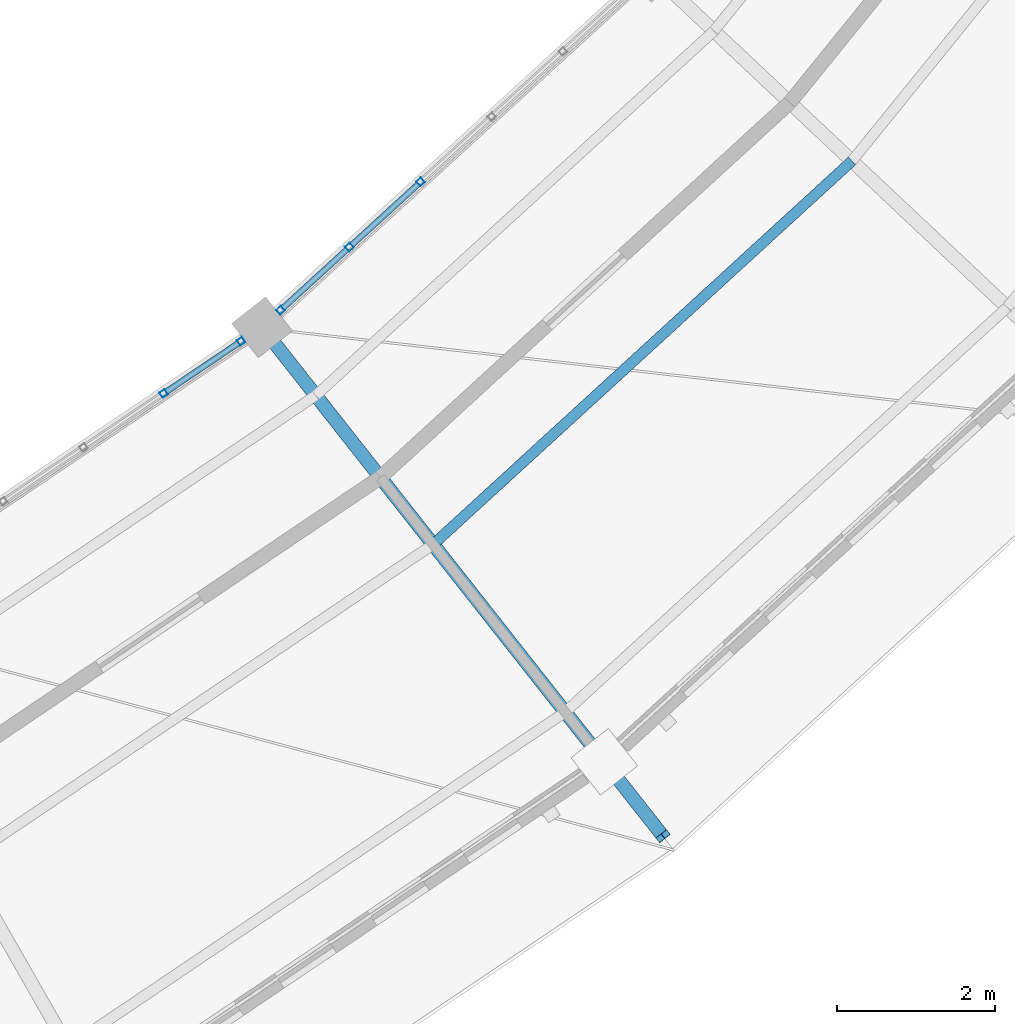
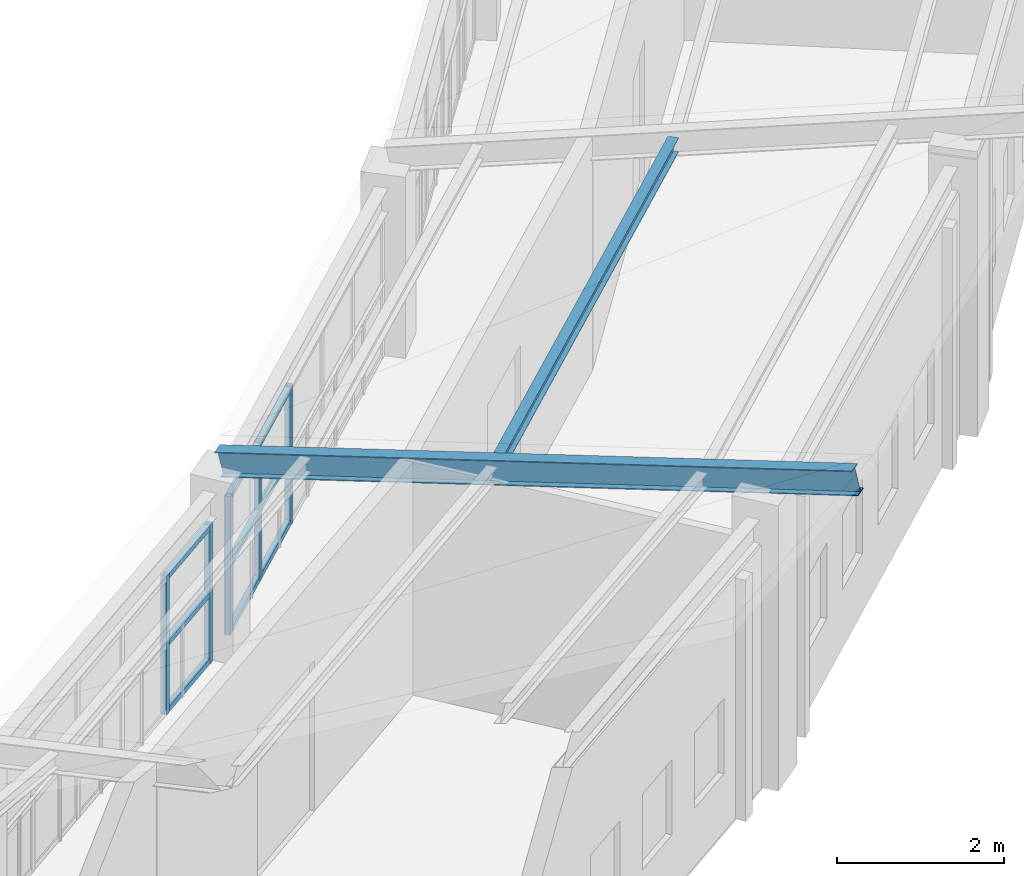
# One storey, part 48 of 149: 16 members, 2 elements without a shape of their own.
"""IFC4 building model written with IfcOpenShell, lengths in metres."""

from ifc_helpers import new_model, si_unit, direction, frame, origin, origin_2d, place, context, subcontext, project, spatial, hollow_rectangle, i_section, extrude, material, material_profile, profile_set, type_object, element, aggregate, save


model = new_model("IFC4")

# Units and contexts
model_context = context("Model", 3, precision=1e-05, world=origin(), true_north=direction((0.0, 1.0)))
body_context = subcontext(model_context, "Body", "Model", "MODEL_VIEW")
ifc_project = project(units=[si_unit("LENGTHUNIT", "METRE"), si_unit("AREAUNIT", "SQUARE_METRE"), si_unit("VOLUMEUNIT", "CUBIC_METRE"), si_unit("PLANEANGLEUNIT", "RADIAN"), si_unit("MASSUNIT", "GRAM", prefix="KILO")], contexts=[model_context])

# Site, building, storey
site_placement = place(None, origin())
site = spatial("IfcSite", under=ifc_project, at=site_placement, CompositionType="ELEMENT")
building_placement = place(site_placement, origin())
building = spatial("IfcBuilding", under=site, at=building_placement, Name="Celadon Cloister-Ring School", CompositionType="ELEMENT")
storey_placement = place(building_placement, frame((0.0, 0.0, 12.5)))
storey = spatial("IfcBuildingStorey", under=building, at=storey_placement, Name="L03", CompositionType="ELEMENT", Elevation=12.5)

# Curtain wall, members
ifc_material_1 = material(Name="Aluminium EN AW-6063 T6", Category="aluminium")
curtain_wall_type = type_object("IfcCurtainWallType", Name="CW-02", PredefinedType="USERDEFINED", material=ifc_material_1)
curtain_wall_1_placement = place(storey_placement, origin())
curtain_wall_1 = element("IfcCurtainWall", 1, at=curtain_wall_1_placement, inside=storey, type_object=curtain_wall_type, Name="Curtain Wall 0065", ObjectType="CURTAIN WALL", PredefinedType="USERDEFINED")
ifc_material_2 = material(Name="Aluminium EN AW-6063 T6", Category="aluminium")
ifc_material_profile_1 = material_profile(ifc_material_2, hollow_rectangle(XDim=0.080078125, YDim=0.080078125, WallThickness=0.00390625, at=origin_2d()), Name="RHS80X80X4")
ifc_profile_set_1 = profile_set([ifc_material_profile_1], Name="Aluminium EN AW-6063 T6")
member_type_1 = type_object("IfcMemberType", Name="CM-03", PredefinedType="MULLION", material=ifc_profile_set_1)
member_1_placement = place(storey_placement, frame((113.603759765625, 22.813232421875, 0.0), z_axis=(0.0, 0.0, 1.0), x_axis=(-0.558848567753, 0.829269725916, 0.0)))
member_1 = element("IfcMember", 2, at=member_1_placement, type_object=member_type_1, Name="CW-02 mullion 5", PredefinedType="MULLION", context=body_context, shape_type="SweptSolid", body=[
    extrude(hollow_rectangle(XDim=0.080078125, YDim=0.080078125, WallThickness=0.00390625, at=origin_2d()), origin(), (0.0, 0.0, 1.0), 2.02001953125),
])
member_2_placement = place(storey_placement, frame((114.583740234375, 23.4736328125, 0.0), z_axis=(0.0, 0.0, 1.0), x_axis=(-0.558848567753, 0.829269725916, 0.0)))
member_2 = element("IfcMember", 3, at=member_2_placement, type_object=member_type_1, Name="CW-02 mullion 6", PredefinedType="MULLION", context=body_context, shape_type="SweptSolid", body=[
    extrude(hollow_rectangle(XDim=0.080078125, YDim=0.080078125, WallThickness=0.00390625, at=origin_2d()), origin(), (0.0, 0.0, 1.0), 2.02001953125),
])

curtain_wall_2_placement = place(storey_placement, origin())
curtain_wall_2 = element("IfcCurtainWall", 4, at=curtain_wall_2_placement, inside=storey, type_object=curtain_wall_type, Name="Curtain Wall 0066", ObjectType="CURTAIN WALL", PredefinedType="USERDEFINED")
member_3_placement = place(storey_placement, frame((115.08349609375, 23.866943359375, 0.0), z_axis=(0.0, 0.0, 1.0), x_axis=(-0.675405823267, 0.737446251531, 0.0)))
member_3 = element("IfcMember", 5, at=member_3_placement, type_object=member_type_1, Name="CW-02 mullion 1", PredefinedType="MULLION", context=body_context, shape_type="SweptSolid", body=[
    extrude(hollow_rectangle(XDim=0.080078125, YDim=0.080078125, WallThickness=0.00390625, at=origin_2d()), origin(), (0.0, 0.0, 1.0), 2.02001953125),
])
member_4_placement = place(storey_placement, frame((115.955078125, 24.665283203125, 0.0), z_axis=(0.0, 0.0, 1.0), x_axis=(-0.675405823267, 0.737446251531, 0.0)))
member_4 = element("IfcMember", 6, at=member_4_placement, type_object=member_type_1, Name="CW-02 mullion 2", PredefinedType="MULLION", context=body_context, shape_type="SweptSolid", body=[
    extrude(hollow_rectangle(XDim=0.080078125, YDim=0.080078125, WallThickness=0.00390625, at=origin_2d()), origin(), (0.0, 0.0, 1.0), 2.02001953125),
])
member_5_placement = place(storey_placement, frame((116.85595703125, 25.490478515625, 0.0), z_axis=(0.0, 0.0, 1.0), x_axis=(-0.675405823267, 0.737446251531, 0.0)))
member_5 = element("IfcMember", 7, at=member_5_placement, type_object=member_type_1, Name="CW-02 mullion 3", PredefinedType="MULLION", context=body_context, shape_type="SweptSolid", body=[
    extrude(hollow_rectangle(XDim=0.080078125, YDim=0.080078125, WallThickness=0.00390625, at=origin_2d()), origin(), (0.0, 0.0, 1.0), 2.02001953125),
])

# Member
ifc_material_3 = material(Name="Aluminium EN AW-6063 T6", Category="aluminium")
ifc_material_profile_2 = material_profile(ifc_material_3, hollow_rectangle(XDim=0.074951171875, YDim=0.074951171875, WallThickness=0.00390625, at=origin_2d()), Name="RHS75X75X4")
ifc_profile_set_2 = profile_set([ifc_material_profile_2], Name="Aluminium EN AW-6063 T6")
member_type_2 = type_object("IfcMemberType", Name="CTM-03", PredefinedType="USERDEFINED", material=ifc_profile_set_2)
member_6_placement = place(storey_placement, frame((113.636962890625, 22.83544921875, 0.03759765625), z_axis=(0.829244100833, 0.558886590673, 0.0), x_axis=(-0.558886590673, 0.829244100833, 0.0)))
member_6 = element("IfcMember", 8, at=member_6_placement, type_object=member_type_2, Name="CW-02 transom 5.1", ObjectType="TRANSOM", PredefinedType="USERDEFINED", context=body_context, shape_type="SweptSolid", body=[
    extrude(hollow_rectangle(XDim=0.074951171875, YDim=0.074951171875, WallThickness=0.00390625, at=origin_2d()), origin(), (0.0, 0.0, 1.0), 1.101806640625),
])

member_7_placement = place(storey_placement, frame((113.636962890625, 22.83544921875, 1.010009765625), z_axis=(0.829244100833, 0.558886590673, 0.0), x_axis=(-0.558886590673, 0.829244100833, 0.0)))
member_7 = element("IfcMember", 9, at=member_7_placement, type_object=member_type_2, Name="CW-02 transom 5.2", ObjectType="TRANSOM", PredefinedType="USERDEFINED", context=body_context, shape_type="SweptSolid", body=[
    extrude(hollow_rectangle(XDim=0.074951171875, YDim=0.074951171875, WallThickness=0.00390625, at=origin_2d()), origin(), (0.0, 0.0, 1.0), 1.101806640625),
])

member_8_placement = place(storey_placement, frame((113.636962890625, 22.83544921875, 1.982421875), z_axis=(0.829244100833, 0.558886590673, 0.0), x_axis=(-0.558886590673, 0.829244100833, 0.0)))
member_8 = element("IfcMember", 10, at=member_8_placement, type_object=member_type_2, Name="CW-02 transom 5.3", ObjectType="TRANSOM", PredefinedType="USERDEFINED", context=body_context, shape_type="SweptSolid", body=[
    extrude(hollow_rectangle(XDim=0.074951171875, YDim=0.074951171875, WallThickness=0.00390625, at=origin_2d()), origin(), (0.0, 0.0, 1.0), 1.101806640625),
])

aggregate(curtain_wall_1, [member_1, member_2, member_6, member_7, member_8])

member_9_placement = place(storey_placement, frame((115.113037109375, 23.89404296875, 0.03759765625), z_axis=(0.737448407441, 0.675403469315, 0.0), x_axis=(-0.675403469315, 0.737448407441, 0.0)))
member_9 = element("IfcMember", 11, at=member_9_placement, type_object=member_type_2, Name="CW-02 transom 1.1", ObjectType="TRANSOM", PredefinedType="USERDEFINED", context=body_context, shape_type="SweptSolid", body=[
    extrude(hollow_rectangle(XDim=0.074951171875, YDim=0.074951171875, WallThickness=0.00390625, at=origin_2d()), origin(), (0.0, 0.0, 1.0), 1.101806640625),
])

member_10_placement = place(storey_placement, frame((115.113037109375, 23.89404296875, 1.010009765625), z_axis=(0.737448407441, 0.675403469315, 0.0), x_axis=(-0.675403469315, 0.737448407441, 0.0)))
member_10 = element("IfcMember", 12, at=member_10_placement, type_object=member_type_2, Name="CW-02 transom 1.2", ObjectType="TRANSOM", PredefinedType="USERDEFINED", context=body_context, shape_type="SweptSolid", body=[
    extrude(hollow_rectangle(XDim=0.074951171875, YDim=0.074951171875, WallThickness=0.00390625, at=origin_2d()), origin(), (0.0, 0.0, 1.0), 1.101806640625),
])

member_11_placement = place(storey_placement, frame((115.113037109375, 23.89404296875, 1.982421875), z_axis=(0.737448407441, 0.675403469315, 0.0), x_axis=(-0.675403469315, 0.737448407441, 0.0)))
member_11 = element("IfcMember", 13, at=member_11_placement, type_object=member_type_2, Name="CW-02 transom 1.3", ObjectType="TRANSOM", PredefinedType="USERDEFINED", context=body_context, shape_type="SweptSolid", body=[
    extrude(hollow_rectangle(XDim=0.074951171875, YDim=0.074951171875, WallThickness=0.00390625, at=origin_2d()), origin(), (0.0, 0.0, 1.0), 1.101806640625),
])

member_12_placement = place(storey_placement, frame((115.984619140625, 24.692138671875, 0.03759765625), z_axis=(0.737331645034, 0.675530935807, 0.0), x_axis=(-0.675530935807, 0.737331645034, 0.0)))
member_12 = element("IfcMember", 14, at=member_12_placement, type_object=member_type_2, Name="CW-02 transom 2.1", ObjectType="TRANSOM", PredefinedType="USERDEFINED", context=body_context, shape_type="SweptSolid", body=[
    extrude(hollow_rectangle(XDim=0.074951171875, YDim=0.074951171875, WallThickness=0.00390625, at=origin_2d()), origin(), (0.0, 0.0, 1.0), 1.1416015625),
])

member_13_placement = place(storey_placement, frame((115.984619140625, 24.692138671875, 1.010009765625), z_axis=(0.737331645034, 0.675530935807, 0.0), x_axis=(-0.675530935807, 0.737331645034, 0.0)))
member_13 = element("IfcMember", 15, at=member_13_placement, type_object=member_type_2, Name="CW-02 transom 2.2", ObjectType="TRANSOM", PredefinedType="USERDEFINED", context=body_context, shape_type="SweptSolid", body=[
    extrude(hollow_rectangle(XDim=0.074951171875, YDim=0.074951171875, WallThickness=0.00390625, at=origin_2d()), origin(), (0.0, 0.0, 1.0), 1.1416015625),
])

member_14_placement = place(storey_placement, frame((115.984619140625, 24.692138671875, 1.982421875), z_axis=(0.737331645034, 0.675530935807, 0.0), x_axis=(-0.675530935807, 0.737331645034, 0.0)))
member_14 = element("IfcMember", 16, at=member_14_placement, type_object=member_type_2, Name="CW-02 transom 2.3", ObjectType="TRANSOM", PredefinedType="USERDEFINED", context=body_context, shape_type="SweptSolid", body=[
    extrude(hollow_rectangle(XDim=0.074951171875, YDim=0.074951171875, WallThickness=0.00390625, at=origin_2d()), origin(), (0.0, 0.0, 1.0), 1.1416015625),
])

aggregate(curtain_wall_2, [member_3, member_4, member_5, member_9, member_10, member_11, member_12, member_13, member_14])

# Members
ifc_material_4 = material(Name="Structural steel S355JR", Category="steel")
ifc_material_profile_3 = material_profile(ifc_material_4, i_section(OverallWidth=0.133056640625, OverallDepth=0.20703125, WebThickness=0.005859375, FlangeThickness=0.00830078125, at=origin_2d()), Name="W200X27")
ifc_profile_set_3 = profile_set([ifc_material_profile_3], Name="Structural steel S355JR")
member_type_3 = type_object("IfcMemberType", Name="MP-04", PredefinedType="PURLIN", material=ifc_profile_set_3)
member_15_placement = place(storey_placement, frame((117.013916015625, 20.903076171875, 3.4599609375), z_axis=(0.737547548272, 0.675295205105, 0.0), x_axis=(-0.675295205105, 0.737547548272, 0.0)))
element("IfcMember", 17, at=member_15_placement, inside=storey, type_object=member_type_3, Name="Structural Member 0191", PredefinedType="PURLIN", context=body_context, shape_type="SweptSolid", body=[
    extrude(i_section(OverallWidth=0.133056640625, OverallDepth=0.20703125, WebThickness=0.005859375, FlangeThickness=0.00830078125, at=origin_2d()), origin(), (0.0, 0.0, 1.0), 7.184814453125),
])
ifc_material_5 = material(Name="Structural steel S355JR", Category="steel")
ifc_material_profile_4 = material_profile(ifc_material_5, i_section(OverallWidth=0.1708984375, OverallDepth=0.35498046875, WebThickness=0.007080078125, FlangeThickness=0.01171875, at=origin_2d()), Name="W360X51")
ifc_profile_set_4 = profile_set([ifc_material_profile_4], Name="Structural steel S355JR")
member_type_4 = type_object("IfcMemberType", Name="MR-05", PredefinedType="RAFTER", material=ifc_profile_set_4)
member_16_placement = place(storey_placement, frame((114.847900390625, 23.652099609375, 2.72607421875), z_axis=(0.603646362207, -0.766115161348, 0.220632338852), x_axis=(0.785471497777, 0.618897831778, 0.0)))
element("IfcMember", 18, at=member_16_placement, inside=storey, type_object=member_type_4, Name="Structural Member 0046", PredefinedType="RAFTER", context=body_context, shape_type="SweptSolid", body=[
    extrude(i_section(OverallWidth=0.1708984375, OverallDepth=0.35498046875, WebThickness=0.007080078125, FlangeThickness=0.01171875, at=origin_2d()), origin(), (0.0, 0.0, 1.0), 8.407470703125),
])

save(model, "model.ifc")
